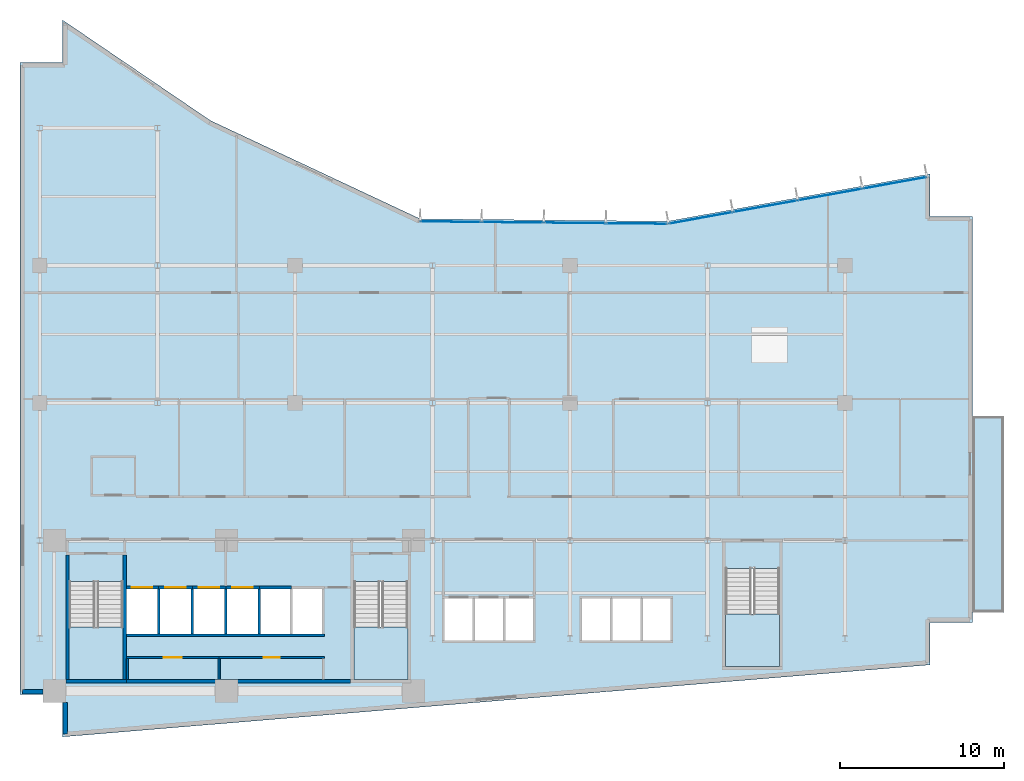
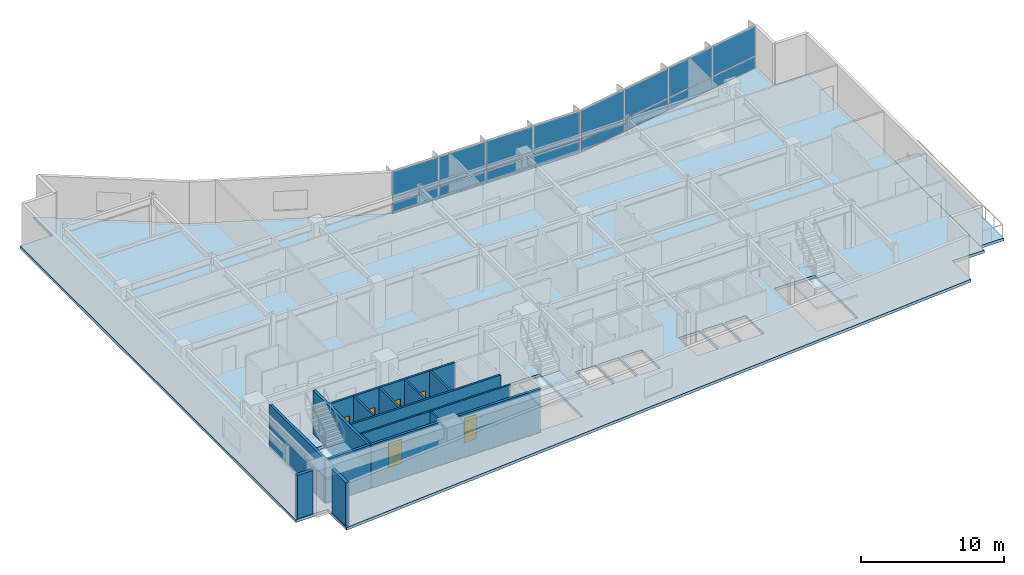
# One storey, part 9 of 18: 20 walls, 16 plates, 6 doors, 5 slabs, 6 openings, 5 elements without a shape of their own.
"""IFC4 building model written with IfcOpenShell, lengths in metres."""

import ifcopenshell
import ifcopenshell.guid

model = None  # the IFC model being written
_history = None  # IfcOwnerHistory: only IFC2X3 demands one
_inside = {}  # id of a spatial element -> (the spatial element, [elements in it])
_under = {}  # id of a project, library or spatial element -> (it, [spatial elements below it])
_declared = {}  # id of a project -> (the project, [libraries it declares])
_typed = {}  # id of a type object -> (the type object, [elements of that type])
_made_of = {}  # id of a material, layer set ... -> (it, [elements and type objects made of it])


def new_model(schema):
    """Start an empty IFC model of exactly this schema.

    Asked for "IFC4X3", IfcOpenShell would pick the latest addendum, in which some entities
    have other attributes; the version numbers below select the first issue.
    IFC2X3 requires an IfcOwnerHistory on every rooted entity: one is made here for all.
    """
    global model, _history
    if schema == "IFC4X3":
        model = ifcopenshell.file(schema_version=(4, 3, 0, 0))
    else:
        model = ifcopenshell.file(schema=schema)
    _inside.clear()
    _under.clear()
    _declared.clear()
    _typed.clear()
    _made_of.clear()
    _history = None
    if model.schema == "IFC2X3":
        org = make("IfcOrganization", Name="unknown")
        user = make(
            "IfcPersonAndOrganization",
            ThePerson=make("IfcPerson", FamilyName="unknown"),
            TheOrganization=org,
        )
        app = make(
            "IfcApplication",
            ApplicationDeveloper=org,
            Version="unknown",
            ApplicationFullName="unknown",
            ApplicationIdentifier="unknown",
        )
        _history = make(
            "IfcOwnerHistory",
            OwningUser=user,
            OwningApplication=app,
            ChangeAction="ADDED",
            CreationDate=0,
        )
    return model


def make(cls, **values):
    """One entity of the class cls with the attributes given. An attribute that is None is left unset."""
    return model.create_entity(
        cls, **{name: value for name, value in values.items() if value is not None}
    )


def rooted(cls, **values):
    """An entity with a GlobalId (a new one), such as an element, a storey or a relation."""
    return make(cls, GlobalId=ifcopenshell.guid.new(), OwnerHistory=_history, **values)


def si_unit(unit_type, name, prefix=None):
    """IfcSIUnit, for example si_unit("LENGTHUNIT", "METRE", prefix="MILLI")."""
    return make("IfcSIUnit", UnitType=unit_type, Prefix=prefix, Name=name)


def assignment(units):
    """IfcUnitAssignment: the units of a project."""
    return None if units is None else make("IfcUnitAssignment", Units=units)


def point(xyz):
    """IfcCartesianPoint."""
    return None if xyz is None else make("IfcCartesianPoint", Coordinates=xyz)


def direction(xyz):
    """IfcDirection."""
    return None if xyz is None else make("IfcDirection", DirectionRatios=xyz)


def frame(location, z_axis=None, x_axis=None):
    """IfcAxis2Placement3D, a coordinate frame: its origin and axes. An axis left out is left unset."""
    return make(
        "IfcAxis2Placement3D",
        Location=point(location),
        Axis=direction(z_axis),
        RefDirection=direction(x_axis),
    )


def frame_2d(location, x_axis=None):
    """IfcAxis2Placement2D, a coordinate frame in the plane: its origin and x axis."""
    return make(
        "IfcAxis2Placement2D", Location=point(location), RefDirection=direction(x_axis)
    )


def origin():
    """The frame at (0, 0, 0) with its axes left unset."""
    return frame((0.0, 0.0, 0.0))


def origin_2d():
    """The frame at (0, 0) in the plane with its x axis left unset."""
    return frame_2d((0.0, 0.0))


def place(relative_to, where):
    """IfcLocalPlacement: puts the frame where relative to a parent placement (None: the world)."""
    return make(
        "IfcLocalPlacement", PlacementRelTo=relative_to, RelativePlacement=where
    )


def context(
    kind, dimensions, precision=None, world=None, true_north=None, identifier=None
):
    """IfcGeometricRepresentationContext, for example the 3D "Model" context."""
    return make(
        "IfcGeometricRepresentationContext",
        ContextIdentifier=identifier,
        ContextType=kind,
        CoordinateSpaceDimension=dimensions,
        Precision=precision,
        WorldCoordinateSystem=world,
        TrueNorth=true_north,
    )


def subcontext(parent, identifier, kind, view, scale=None):
    """IfcGeometricRepresentationSubContext, for example "Body" below "Model"."""
    return make(
        "IfcGeometricRepresentationSubContext",
        ContextIdentifier=identifier,
        ContextType=kind,
        ParentContext=parent,
        TargetScale=scale,
        TargetView=view,
    )


def project(units=None, contexts=None):
    """IfcProject with its units and contexts."""
    return rooted(
        "IfcProject",
        Name="project",
        RepresentationContexts=contexts,
        UnitsInContext=assignment(units),
    )


def spatial(cls, under=None, at=None, **own):
    """A site, building, storey or space (cls), placed at a placement, below another one or the project."""
    s = rooted(cls, ObjectPlacement=at, **own)
    if under is not None:
        _under.setdefault(under.id(), (under, []))[1].append(s)
    return s


def polyline(points):
    """IfcPolyline through the points."""
    return make("IfcPolyline", Points=[point(p) for p in points])


def profile(cls, at=None, kind="AREA", **sizes):
    """A parametric profile (cls). Its sizes go by their IFC names, for example OverallWidth=200.0."""
    return make(cls, ProfileType=kind, Position=at, **sizes)


def rectangle(**sizes):
    """IfcRectangleProfileDef."""
    return profile("IfcRectangleProfileDef", **sizes)


def outline(outer, holes=None, kind="AREA"):
    """IfcArbitraryClosedProfileDef: a profile drawn as a closed curve; with holes, ...WithVoids."""
    if holes is None:
        return make("IfcArbitraryClosedProfileDef", ProfileType=kind, OuterCurve=outer)
    return make(
        "IfcArbitraryProfileDefWithVoids",
        ProfileType=kind,
        OuterCurve=outer,
        InnerCurves=holes,
    )


def extrude(swept, where, along, depth):
    """IfcExtrudedAreaSolid: the profile swept, set in the frame where, extruded along a direction by depth."""
    return make(
        "IfcExtrudedAreaSolid",
        SweptArea=swept,
        Position=where,
        ExtrudedDirection=direction(along),
        Depth=depth,
    )


def shape(context_of_items, identifier, shape_type, items):
    """IfcShapeRepresentation: the items that make up one representation, for example the "Body"."""
    return make(
        "IfcShapeRepresentation",
        ContextOfItems=context_of_items,
        RepresentationIdentifier=identifier,
        RepresentationType=shape_type,
        Items=items,
    )


def material(Name=None, Category=None):
    """IfcMaterial."""
    return make("IfcMaterial", Name=Name, Category=Category)


def layer(
    of_material, thickness, ventilated=None, Name=None, Category=None, Priority=None
):
    """IfcMaterialLayer: one layer of a wall or slab, of a material (None: an air gap)."""
    return make(
        "IfcMaterialLayer",
        Material=of_material,
        LayerThickness=thickness,
        IsVentilated=ventilated,
        Name=Name,
        Category=Category,
        Priority=Priority,
    )


def layer_set(layers, Name=None):
    """IfcMaterialLayerSet."""
    return make("IfcMaterialLayerSet", MaterialLayers=layers, LayerSetName=Name)


def made_of(thing, what):
    """Note that an element or type object is made of a material, layer set ...; save() writes the relation."""
    if what is not None:
        _made_of.setdefault(what.id(), (what, []))[1].append(thing)
    return thing


def type_object(cls, material=None, **own):
    """A type object (cls), such as IfcWallType, which elements share."""
    return made_of(rooted(cls, **own), material)


def element(
    cls,
    number,
    at=None,
    inside=None,
    cuts=None,
    type_object=None,
    material=None,
    context=None,
    identifier="Body",
    shape_type=None,
    held_by="IfcProductDefinitionShape",
    body=None,
    shapes=None,
    **own,
):
    """One element of the class cls, such as IfcWall. Its Tag is "e" and its number.

    at: its placement. inside: the storey or other place that contains it. cuts: it is an
    opening in that element (IfcRelVoidsElement). A single representation is given by context,
    identifier, shape_type and body (its items); several are given by shapes. held_by: the class
    of the entity that holds the representations. save() writes the other relations.
    """
    e = rooted(cls, Tag="e%d" % number, ObjectPlacement=at, **own)
    if body is not None:
        shapes = [shape(context, identifier, shape_type, body)]
    if shapes is not None:
        e.Representation = make(held_by, Representations=shapes)
    if inside is not None:
        _inside.setdefault(inside.id(), (inside, []))[1].append(e)
    if cuts is not None:
        rooted(
            "IfcRelVoidsElement", RelatingBuildingElement=cuts, RelatedOpeningElement=e
        )
    if type_object is not None:
        _typed.setdefault(type_object.id(), (type_object, []))[1].append(e)
    return made_of(e, material)


def fill(opening, filler):
    """IfcRelFillsElement: the door or window that sits in an opening."""
    return rooted(
        "IfcRelFillsElement",
        RelatingOpeningElement=opening,
        RelatedBuildingElement=filler,
    )


def aggregate(whole, parts):
    """IfcRelAggregates: a whole, such as a stair, and the parts it consists of."""
    return rooted("IfcRelAggregates", RelatingObject=whole, RelatedObjects=parts)


def save(model, path):
    """Write the relations noted so far, then the file.

    IfcRelAggregates (storeys below a building ...), IfcRelContainedInSpatialStructure (elements
    in a storey), IfcRelDefinesByType, IfcRelAssociatesMaterial and IfcRelDeclares: one each for
    every whole, place, type object, material and project.
    """
    for whole, parts in _under.values():
        aggregate(whole, parts)
    for where, things in _inside.values():
        rooted(
            "IfcRelContainedInSpatialStructure",
            RelatedElements=things,
            RelatingStructure=where,
        )
    for kind, things in _typed.values():
        rooted("IfcRelDefinesByType", RelatedObjects=things, RelatingType=kind)
    for what, things in _made_of.values():
        rooted("IfcRelAssociatesMaterial", RelatedObjects=things, RelatingMaterial=what)
    for by, libraries in _declared.values():
        rooted("IfcRelDeclares", RelatingContext=by, RelatedDefinitions=libraries)
    model.write(path)


model = new_model("IFC4")

# Units and contexts
model_context = context("Model", 3, precision=1e-05, world=origin(), true_north=direction((0.0, 1.0)))
body_context = subcontext(model_context, "Body", "Model", "MODEL_VIEW")
ifc_project = project(units=[si_unit("LENGTHUNIT", "METRE"), si_unit("AREAUNIT", "SQUARE_METRE"), si_unit("VOLUMEUNIT", "CUBIC_METRE"), si_unit("PLANEANGLEUNIT", "RADIAN"), si_unit("MASSUNIT", "GRAM", prefix="KILO")], contexts=[model_context])

# Site, building, storey
site_placement = place(None, origin())
site = spatial("IfcSite", under=ifc_project, at=site_placement, CompositionType="ELEMENT")
building_placement = place(site_placement, origin())
building = spatial("IfcBuilding", under=site, at=building_placement, Name="Varnakote Quay Hospital", CompositionType="ELEMENT")
storey_placement = place(building_placement, frame((0.0, 0.0, 30.39990234375)))
storey = spatial("IfcBuildingStorey", under=building, at=storey_placement, Name="L07", CompositionType="ELEMENT", Elevation=30.39990234375)

# Curtain wall, plates
ifc_material_1 = material(Name="Anodised aluminium 6063-T6 Bronze", Category="aluminium")
ifc_layer_1 = layer(ifc_material_1, 0.18994140625)
ifc_layer_set_1 = layer_set([ifc_layer_1], Name="Anodised aluminium 6063-T6 Bronze")
curtain_wall_type = type_object("IfcCurtainWallType", Name="CW-SYS-2", PredefinedType="NOTDEFINED", material=ifc_layer_set_1)
curtain_wall_1_placement = place(storey_placement, origin())
curtain_wall_1 = element("IfcCurtainWall", 1, at=curtain_wall_1_placement, inside=storey, type_object=curtain_wall_type, Name="L07 Unitised Bronze Curtain Wall 1", PredefinedType="NOTDEFINED")
ifc_material_2 = material(Name="Double-glazed acoustic laminated glass", Category="glass")
ifc_layer_2 = layer(ifc_material_2, 0.031982421875)
ifc_layer_set_2 = layer_set([ifc_layer_2], Name="Double-glazed acoustic laminated glass")
plate_type = type_object("IfcPlateType", Name="CW-PNL-GLZ-32", PredefinedType="CURTAIN_PANEL", material=ifc_layer_set_2)
plate_1_placement = place(storey_placement, frame((53.440185546875, 33.84716796875, 0.0751953125), z_axis=(0.0, 0.0, 1.0), x_axis=(-0.984058295766, -0.177846199098, 0.0)))
plate_1 = element("IfcPlate", 2, at=plate_1_placement, type_object=plate_type, Name="-2-L07-1 panel 1.1", PredefinedType="CURTAIN_PANEL", context=body_context, shape_type="SweptSolid", body=[
    extrude(rectangle(XDim=3.914306640625, YDim=0.031982421875, at=origin_2d()), origin(), (0.0, 0.0, 1.0), 0.987548828125),
])
plate_2_placement = place(storey_placement, frame((53.440185546875, 33.84716796875, 1.137451171875), z_axis=(0.0, 0.0, 1.0), x_axis=(-0.984058295766, -0.177846199098, 0.0)))
plate_2 = element("IfcPlate", 3, at=plate_2_placement, type_object=plate_type, Name="-2-L07-1 panel 1.2", PredefinedType="CURTAIN_PANEL", context=body_context, shape_type="SweptSolid", body=[
    extrude(rectangle(XDim=3.914306640625, YDim=0.031982421875, at=origin_2d()), origin(), (0.0, 0.0, 1.0), 2.49755859375),
])
plate_3_placement = place(storey_placement, frame((49.49609375, 33.13427734375, 0.0751953125), z_axis=(0.0, 0.0, 1.0), x_axis=(-0.984058295766, -0.177846199098, 0.0)))
plate_3 = element("IfcPlate", 4, at=plate_3_placement, type_object=plate_type, Name="-2-L07-1 panel 2.1", PredefinedType="CURTAIN_PANEL", context=body_context, shape_type="SweptSolid", body=[
    extrude(rectangle(XDim=3.951904296875, YDim=0.031982421875, at=origin_2d()), origin(), (0.0, 0.0, 1.0), 0.987548828125),
])
plate_4_placement = place(storey_placement, frame((49.49609375, 33.13427734375, 1.137451171875), z_axis=(0.0, 0.0, 1.0), x_axis=(-0.984058295766, -0.177846199098, 0.0)))
plate_4 = element("IfcPlate", 5, at=plate_4_placement, type_object=plate_type, Name="-2-L07-1 panel 2.2", PredefinedType="CURTAIN_PANEL", context=body_context, shape_type="SweptSolid", body=[
    extrude(rectangle(XDim=3.951904296875, YDim=0.031982421875, at=origin_2d()), origin(), (0.0, 0.0, 1.0), 2.49755859375),
])
plate_5_placement = place(storey_placement, frame((45.533447265625, 32.418212890625, 0.0751953125), z_axis=(0.0, 0.0, 1.0), x_axis=(-0.984058295766, -0.177846199098, 0.0)))
plate_5 = element("IfcPlate", 6, at=plate_5_placement, type_object=plate_type, Name="-2-L07-1 panel 3.1", PredefinedType="CURTAIN_PANEL", context=body_context, shape_type="SweptSolid", body=[
    extrude(rectangle(XDim=3.951904296875, YDim=0.031982421875, at=origin_2d()), origin(), (0.0, 0.0, 1.0), 0.987548828125),
])
plate_6_placement = place(storey_placement, frame((45.533447265625, 32.418212890625, 1.137451171875), z_axis=(0.0, 0.0, 1.0), x_axis=(-0.984058295766, -0.177846199098, 0.0)))
plate_6 = element("IfcPlate", 7, at=plate_6_placement, type_object=plate_type, Name="-2-L07-1 panel 3.2", PredefinedType="CURTAIN_PANEL", context=body_context, shape_type="SweptSolid", body=[
    extrude(rectangle(XDim=3.951904296875, YDim=0.031982421875, at=origin_2d()), origin(), (0.0, 0.0, 1.0), 2.49755859375),
])
plate_7_placement = place(storey_placement, frame((41.58935546875, 31.705322265625, 0.0751953125), z_axis=(0.0, 0.0, 1.0), x_axis=(-0.984058295766, -0.177846199098, 0.0)))
plate_7 = element("IfcPlate", 8, at=plate_7_placement, type_object=plate_type, Name="-2-L07-1 panel 4.1", PredefinedType="CURTAIN_PANEL", context=body_context, shape_type="SweptSolid", body=[
    extrude(rectangle(XDim=3.914306640625, YDim=0.031982421875, at=origin_2d()), origin(), (0.0, 0.0, 1.0), 0.987548828125),
])
plate_8_placement = place(storey_placement, frame((41.58935546875, 31.705322265625, 1.137451171875), z_axis=(0.0, 0.0, 1.0), x_axis=(-0.984058295766, -0.177846199098, 0.0)))
plate_8 = element("IfcPlate", 9, at=plate_8_placement, type_object=plate_type, Name="-2-L07-1 panel 4.2", PredefinedType="CURTAIN_PANEL", context=body_context, shape_type="SweptSolid", body=[
    extrude(rectangle(XDim=3.914306640625, YDim=0.031982421875, at=origin_2d()), origin(), (0.0, 0.0, 1.0), 2.49755859375),
])
aggregate(curtain_wall_1, [plate_1, plate_2, plate_3, plate_4, plate_5, plate_6, plate_7, plate_8])

curtain_wall_2_placement = place(storey_placement, origin())
curtain_wall_2 = element("IfcCurtainWall", 10, at=curtain_wall_2_placement, inside=storey, type_object=curtain_wall_type, Name="L07 Unitised Bronze Curtain Wall 2", PredefinedType="NOTDEFINED")
plate_9_placement = place(storey_placement, frame((37.673095703125, 31.362548828125, 0.0751953125), z_axis=(0.0, 0.0, 1.0), x_axis=(-0.999952230718, 0.009774266312, 0.0)))
plate_9 = element("IfcPlate", 11, at=plate_9_placement, type_object=plate_type, Name="-2-L07-2 panel 1.1", PredefinedType="CURTAIN_PANEL", context=body_context, shape_type="SweptSolid", body=[
    extrude(rectangle(XDim=3.68310546875, YDim=0.031982421875, at=origin_2d()), origin(), (0.0, 0.0, 1.0), 0.987548828125),
])
plate_10_placement = place(storey_placement, frame((37.673095703125, 31.362548828125, 1.137451171875), z_axis=(0.0, 0.0, 1.0), x_axis=(-0.999952230718, 0.009774266312, 0.0)))
plate_10 = element("IfcPlate", 12, at=plate_10_placement, type_object=plate_type, Name="-2-L07-2 panel 1.2", PredefinedType="CURTAIN_PANEL", context=body_context, shape_type="SweptSolid", body=[
    extrude(rectangle(XDim=3.68310546875, YDim=0.031982421875, at=origin_2d()), origin(), (0.0, 0.0, 1.0), 2.49755859375),
])
plate_11_placement = place(storey_placement, frame((33.896240234375, 31.399658203125, 0.0751953125), z_axis=(0.0, 0.0, 1.0), x_axis=(-0.999952230718, 0.009774266312, 0.0)))
plate_11 = element("IfcPlate", 13, at=plate_11_placement, type_object=plate_type, Name="-2-L07-2 panel 2.1", PredefinedType="CURTAIN_PANEL", context=body_context, shape_type="SweptSolid", body=[
    extrude(rectangle(XDim=3.720703125, YDim=0.031982421875, at=origin_2d()), origin(), (0.0, 0.0, 1.0), 0.987548828125),
])
plate_12_placement = place(storey_placement, frame((33.896240234375, 31.399658203125, 1.137451171875), z_axis=(0.0, 0.0, 1.0), x_axis=(-0.999952230718, 0.009774266312, 0.0)))
plate_12 = element("IfcPlate", 14, at=plate_12_placement, type_object=plate_type, Name="-2-L07-2 panel 2.2", PredefinedType="CURTAIN_PANEL", context=body_context, shape_type="SweptSolid", body=[
    extrude(rectangle(XDim=3.720703125, YDim=0.031982421875, at=origin_2d()), origin(), (0.0, 0.0, 1.0), 2.49755859375),
])
plate_13_placement = place(storey_placement, frame((30.100830078125, 31.436767578125, 0.0751953125), z_axis=(0.0, 0.0, 1.0), x_axis=(-0.999952230718, 0.009774266312, 0.0)))
plate_13 = element("IfcPlate", 15, at=plate_13_placement, type_object=plate_type, Name="-2-L07-2 panel 3.1", PredefinedType="CURTAIN_PANEL", context=body_context, shape_type="SweptSolid", body=[
    extrude(rectangle(XDim=3.720703125, YDim=0.031982421875, at=origin_2d()), origin(), (0.0, 0.0, 1.0), 0.987548828125),
])
plate_14_placement = place(storey_placement, frame((30.100830078125, 31.436767578125, 1.137451171875), z_axis=(0.0, 0.0, 1.0), x_axis=(-0.999952230718, 0.009774266312, 0.0)))
plate_14 = element("IfcPlate", 16, at=plate_14_placement, type_object=plate_type, Name="-2-L07-2 panel 3.2", PredefinedType="CURTAIN_PANEL", context=body_context, shape_type="SweptSolid", body=[
    extrude(rectangle(XDim=3.720703125, YDim=0.031982421875, at=origin_2d()), origin(), (0.0, 0.0, 1.0), 2.49755859375),
])
plate_15_placement = place(storey_placement, frame((26.32421875, 31.4736328125, 0.0751953125), z_axis=(0.0, 0.0, 1.0), x_axis=(-0.999952230718, 0.009774266312, 0.0)))
plate_15 = element("IfcPlate", 17, at=plate_15_placement, type_object=plate_type, Name="-2-L07-2 panel 4.1", PredefinedType="CURTAIN_PANEL", context=body_context, shape_type="SweptSolid", body=[
    extrude(rectangle(XDim=3.68310546875, YDim=0.031982421875, at=origin_2d()), origin(), (0.0, 0.0, 1.0), 0.987548828125),
])
plate_16_placement = place(storey_placement, frame((26.32421875, 31.4736328125, 1.137451171875), z_axis=(0.0, 0.0, 1.0), x_axis=(-0.999952230718, 0.009774266312, 0.0)))
plate_16 = element("IfcPlate", 18, at=plate_16_placement, type_object=plate_type, Name="-2-L07-2 panel 4.2", PredefinedType="CURTAIN_PANEL", context=body_context, shape_type="SweptSolid", body=[
    extrude(rectangle(XDim=3.68310546875, YDim=0.031982421875, at=origin_2d()), origin(), (0.0, 0.0, 1.0), 2.49755859375),
])
aggregate(curtain_wall_2, [plate_9, plate_10, plate_11, plate_12, plate_13, plate_14, plate_15, plate_16])

# Stair, slab
ifc_material_3 = material(Name="Concrete N40 (f'c 40 MPa)", Category="concrete")
stair_type = type_object("IfcStairType", Name="STR-CORE-1580", PredefinedType="HALF_TURN_STAIR", material=ifc_material_3)
stair_1_placement = place(storey_placement, origin())
stair_1 = element("IfcStair", 19, at=stair_1_placement, inside=storey, type_object=stair_type, Name="L07 Fire-Isolated Exit Stair ST-01", PredefinedType="HALF_TURN_STAIR")
ifc_material_4 = material(Name="Concrete N40 (f'c 40 MPa)", Category="concrete")
ifc_layer_3 = layer(ifc_material_4, 0.199951171875)
ifc_layer_set_3 = layer_set([ifc_layer_3], Name="Concrete N40 (f'c 40 MPa)")
slab_type_1 = type_object("IfcSlabType", Name="SLB-STAIR-LND-200", PredefinedType="LANDING", material=ifc_layer_set_3)
slab_1_placement = place(storey_placement, frame((0.0, 0.0, 1.775146484375)))
slab_1 = element("IfcSlab", 20, at=slab_1_placement, type_object=slab_type_1, Name="ST-01 landing 1", PredefinedType="LANDING", context=body_context, shape_type="SweptSolid", body=[
    extrude(outline(polyline([(3.0, 6.699951171875), (3.0, 3.5), (6.300048828125, 3.5), (6.300048828125, 6.699951171875), (3.0, 6.699951171875)])), origin(), (0.0, 0.0, 1.0), 0.199951171875),
])
aggregate(stair_1, [slab_1])

stair_2_placement = place(storey_placement, origin())
stair_2 = element("IfcStair", 21, at=stair_2_placement, inside=storey, type_object=stair_type, Name="L07 Fire-Isolated Exit Stair ST-02", PredefinedType="HALF_TURN_STAIR")
slab_2_placement = place(storey_placement, frame((0.0, 0.0, 1.775146484375)))
slab_2 = element("IfcSlab", 22, at=slab_2_placement, type_object=slab_type_1, Name="ST-02 landing 1", PredefinedType="LANDING", context=body_context, shape_type="SweptSolid", body=[
    extrude(outline(polyline([(20.39990234375, 6.699951171875), (20.39990234375, 3.5), (23.699951171875, 3.5), (23.699951171875, 6.699951171875), (20.39990234375, 6.699951171875)])), origin(), (0.0, 0.0, 1.0), 0.199951171875),
])
aggregate(stair_2, [slab_2])

stair_3_placement = place(storey_placement, origin())
stair_3 = element("IfcStair", 23, at=stair_3_placement, inside=storey, type_object=stair_type, Name="L07 Fire-Isolated Exit Stair ST-03", PredefinedType="HALF_TURN_STAIR")
slab_3_placement = place(storey_placement, frame((0.0, 0.0, 1.775146484375)))
slab_3 = element("IfcSlab", 24, at=slab_3_placement, type_object=slab_type_1, Name="ST-03 landing 1", PredefinedType="LANDING", context=body_context, shape_type="SweptSolid", body=[
    extrude(outline(polyline([(43.10009765625, 7.5), (43.10009765625, 4.300048828125), (46.39990234375, 4.300048828125), (46.39990234375, 7.5), (43.10009765625, 7.5)])), origin(), (0.0, 0.0, 1.0), 0.199951171875),
])
aggregate(stair_3, [slab_3])

# Slabs
ifc_material_5 = material(Name="Concrete N50 (f'c 50 MPa)", Category="concrete")
ifc_layer_4 = layer(ifc_material_5, 0.239990234375)
ifc_layer_set_4 = layer_set([ifc_layer_4], Name="Concrete N50 (f'c 50 MPa)")
slab_type_2 = type_object("IfcSlabType", Name="SLB-TERR-200", PredefinedType="FLOOR", material=ifc_layer_set_4)
slab_4_placement = place(storey_placement, frame((0.0, 0.0, -0.239990234375)))
element("IfcSlab", 25, at=slab_4_placement, inside=storey, type_object=slab_type_2, Name="L07 Waterfront Healing Terrace Slab", PredefinedType="FLOOR", context=body_context, shape_type="SweptSolid", body=[
    extrude(outline(polyline([(58.196044921875, 19.60009765625), (58.196044921875, 7.60009765625), (60.1201171875, 7.60009765625), (60.1201171875, 19.60009765625), (58.196044921875, 19.60009765625)])), origin(), (0.0, 0.0, 1.0), 0.239990234375),
])
ifc_material_6 = material(Name="Concrete N50 (f'c 50 MPa)", Category="concrete")
ifc_layer_5 = layer(ifc_material_6, 0.239990234375)
ifc_layer_set_5 = layer_set([ifc_layer_5], Name="Concrete N50 (f'c 50 MPa)")
slab_type_3 = type_object("IfcSlabType", Name="SLB-WARD-200", PredefinedType="FLOOR", material=ifc_layer_set_5)
slab_5_placement = place(storey_placement, frame((0.0, 0.0, -0.239990234375)))
element("IfcSlab", 26, at=slab_5_placement, inside=storey, type_object=slab_type_3, Name="L07 Primary Floor Slab", PredefinedType="FLOOR", context=body_context, shape_type="SweptSolid", body=[
    extrude(outline(polyline([(0.0, 2.60009765625), (2.60009765625, 2.60009765625), (2.60009765625, 0.0), (55.60009765625, 4.39990234375), (55.60009765625, 7.0), (58.199951171875, 7.0), (58.199951171875, 31.800048828125), (55.60009765625, 31.800048828125), (55.60009765625, 34.39990234375), (39.575927734375, 31.50390625), (24.444091796875, 31.652099609375), (11.639892578125, 37.656005859375), (2.60009765625, 43.800048828125), (2.60009765625, 41.199951171875), (0.0, 41.199951171875), (0.0, 2.60009765625)]), holes=[polyline([(3.0, 3.5), (6.300048828125, 3.5), (6.300048828125, 9.49951171875), (3.0, 9.49951171875), (3.0, 3.5)]), polyline([(20.39990234375, 3.5), (23.699951171875, 3.5), (23.699951171875, 9.49951171875), (20.39990234375, 9.49951171875), (20.39990234375, 3.5)]), polyline([(43.10009765625, 4.300048828125), (46.39990234375, 4.300048828125), (46.39990234375, 10.29931640625), (43.10009765625, 10.29931640625), (43.10009765625, 4.300048828125)]), polyline([(6.5, 6.300048828125), (8.39990234375, 6.300048828125), (8.39990234375, 9.050048828125), (6.5, 9.050048828125), (6.5, 6.300048828125)]), polyline([(8.550048828125, 6.300048828125), (10.449951171875, 6.300048828125), (10.449951171875, 9.050048828125), (8.550048828125, 9.050048828125), (8.550048828125, 6.300048828125)]), polyline([(10.60009765625, 6.300048828125), (12.5, 6.300048828125), (12.5, 9.050048828125), (10.60009765625, 9.050048828125), (10.60009765625, 6.300048828125)]), polyline([(12.64990234375, 6.300048828125), (14.550048828125, 6.300048828125), (14.550048828125, 9.050048828125), (12.64990234375, 9.050048828125), (12.64990234375, 6.300048828125)]), polyline([(14.699951171875, 6.300048828125), (16.5, 6.300048828125), (16.5, 9.050048828125), (14.699951171875, 9.050048828125), (14.699951171875, 6.300048828125)]), polyline([(16.64990234375, 6.300048828125), (18.449951171875, 6.300048828125), (18.449951171875, 9.050048828125), (16.64990234375, 9.050048828125), (16.64990234375, 6.300048828125)]), polyline([(25.949951171875, 5.89990234375), (27.64990234375, 5.89990234375), (27.64990234375, 8.449951171875), (25.949951171875, 8.449951171875), (25.949951171875, 5.89990234375)]), polyline([(27.800048828125, 5.89990234375), (29.5, 5.89990234375), (29.5, 8.449951171875), (27.800048828125, 8.449951171875), (27.800048828125, 5.89990234375)]), polyline([(29.64990234375, 5.89990234375), (31.35009765625, 5.89990234375), (31.35009765625, 8.449951171875), (29.64990234375, 8.449951171875), (29.64990234375, 5.89990234375)]), polyline([(34.35009765625, 5.89990234375), (36.050048828125, 5.89990234375), (36.050048828125, 8.449951171875), (34.35009765625, 8.449951171875), (34.35009765625, 5.89990234375)]), polyline([(36.199951171875, 5.89990234375), (37.89990234375, 5.89990234375), (37.89990234375, 8.449951171875), (36.199951171875, 8.449951171875), (36.199951171875, 5.89990234375)]), polyline([(38.050048828125, 5.89990234375), (39.75, 5.89990234375), (39.75, 8.449951171875), (38.050048828125, 8.449951171875), (38.050048828125, 5.89990234375)])]), origin(), (0.0, 0.0, 1.0), 0.239990234375),
])

# Walls
ifc_material_7 = material(Name="Concrete N80 (f'c 80 MPa)", Category="concrete")
ifc_layer_6 = layer(ifc_material_7, 0.199951171875)
ifc_layer_set_6 = layer_set([ifc_layer_6], Name="Concrete N80 (f'c 80 MPa)")
wall_type_1 = type_object("IfcWallType", Name="WL-CORE-N80-200", PredefinedType="SHEAR", material=ifc_layer_set_6)
wall_1_placement = place(storey_placement, frame((6.5, 3.39990234375, 0.0), z_axis=(0.0, 0.0, 1.0), x_axis=(1.0, 0.0, 0.0)))
element("IfcWall", 27, at=wall_1_placement, inside=storey, type_object=wall_type_1, Name="L07 Rear Core South Shear Wall", PredefinedType="SHEAR", context=body_context, shape_type="SweptSolid", body=[
    extrude(rectangle(XDim=13.699951171875, YDim=0.199951171875, at=frame_2d((6.85009765625, 0.0))), origin(), (0.0, 0.0, 1.0), 3.710205078125),
])
ifc_material_8 = material(Name="Precast concrete N50 (f'c 50 MPa)", Category="concrete")
ifc_layer_7 = layer(ifc_material_8, 0.260009765625)
ifc_layer_set_7 = layer_set([ifc_layer_7], Name="Precast concrete N50 (f'c 50 MPa)")
wall_type_2 = type_object("IfcWallType", Name="WL-EXT-BRICK-260", PredefinedType="STANDARD", material=ifc_layer_set_7)
wall_2_placement = place(storey_placement, frame((2.760009765625, 2.114990234375, 0.0), z_axis=(0.0, 0.0, 1.0), x_axis=(0.0, -1.0, 0.0)))
element("IfcWall", 28, at=wall_2_placement, inside=storey, type_object=wall_type_2, Name="L07 Brick-Faced Precast Exterior Wall", PredefinedType="STANDARD", context=body_context, shape_type="SweptSolid", body=[
    extrude(rectangle(XDim=1.941162109375, YDim=0.260009765625, at=frame_2d((0.970703125, 0.0))), origin(), (0.0, 0.0, 1.0), 3.710205078125),
])
wall_3_placement = place(storey_placement, frame((0.159912109375, 2.760009765625, 0.0), z_axis=(0.0, 0.0, 1.0), x_axis=(1.0, 0.0, 0.0)))
element("IfcWall", 29, at=wall_3_placement, inside=storey, type_object=wall_type_2, Name="L07 Brick-Faced Precast Exterior Wall", PredefinedType="STANDARD", context=body_context, shape_type="SweptSolid", body=[
    extrude(rectangle(XDim=1.255126953125, YDim=0.260009765625, at=frame_2d((0.62744140625, 0.0))), origin(), (0.0, 0.0, 1.0), 3.710205078125),
])
ifc_material_9 = material(Name="Concrete N50 (f'c 50 MPa)", Category="concrete")
ifc_layer_8 = layer(ifc_material_9, 0.14990234375)
ifc_layer_set_8 = layer_set([ifc_layer_8], Name="Concrete N50 (f'c 50 MPa)")
wall_type_3 = type_object("IfcWallType", Name="WL-SHAFT-N50-150", PredefinedType="SHEAR", material=ifc_layer_set_8)
for number, where, z_axis, x_axis, name in (
    (30, (8.47509765625, 6.300048828125, 0.0), (0.0, 0.0, 1.0), (0.0, 1.0, 0.0), "L07 LF-FF1 Hoistway Divider Wall"),
    (31, (10.52490234375, 6.300048828125, 0.0), (0.0, 0.0, 1.0), (0.0, 1.0, 0.0), "L07 LF-FF2 Hoistway Divider Wall"),
    (32, (12.574951171875, 6.300048828125, 0.0), (0.0, 0.0, 1.0), (0.0, 1.0, 0.0), "L07 LF-SV1 Hoistway Divider Wall"),
    (33, (14.625, 6.300048828125, 0.0), (0.0, 0.0, 1.0), (0.0, 1.0, 0.0), "L07 LF-SV2 Hoistway Divider Wall"),
):
    element("IfcWall", number, at=place(storey_placement, frame(where, z_axis=z_axis, x_axis=x_axis)), inside=storey, type_object=wall_type_3, Name=name, PredefinedType="SHEAR", context=body_context, shape_type="SweptSolid", body=[
        extrude(rectangle(XDim=2.75, YDim=0.14990234375, at=frame_2d((1.375, 0.0))), origin(), (0.0, 0.0, 1.0), 3.710205078125),
    ])
ifc_material_10 = material(Name="Concrete N50 (f'c 50 MPa)", Category="concrete")
ifc_layer_9 = layer(ifc_material_10, 0.159912109375)
ifc_layer_set_9 = layer_set([ifc_layer_9], Name="Concrete N50 (f'c 50 MPa)")
wall_type_4 = type_object("IfcWallType", Name="WL-SHAFT-N50-160", PredefinedType="SHEAR", material=ifc_layer_set_9)
wall_4_placement = place(storey_placement, frame((6.5, 6.219970703125, 0.0), z_axis=(0.0, 0.0, 1.0), x_axis=(1.0, 0.0, 0.0)))
element("IfcWall", 34, at=wall_4_placement, inside=storey, type_object=wall_type_4, Name="L07 REAR Lift Bank Back Shear Wall", PredefinedType="SHEAR", context=body_context, shape_type="SweptSolid", body=[
    extrude(rectangle(XDim=12.110107421875, YDim=0.159912109375, at=frame_2d((6.05517578125, 0.0))), origin(), (0.0, 0.0, 1.0), 3.710205078125),
])

# Wall, opening, door
wall_5_placement = place(storey_placement, frame((6.5, 9.1298828125, 0.0), z_axis=(0.0, 0.0, 1.0), x_axis=(1.0, 0.0, 0.0)))
wall_5 = element("IfcWall", 35, at=wall_5_placement, inside=storey, type_object=wall_type_4, Name="L07 LF-FF1 Hoistway Front Wall", PredefinedType="SHEAR", context=body_context, shape_type="SweptSolid", body=[
    extrude(rectangle(XDim=1.97509765625, YDim=0.159912109375, at=frame_2d((0.987548828125, 0.0))), origin(), (0.0, 0.0, 1.0), 3.710205078125),
])
opening_1_placement = place(wall_5_placement, frame((0.324951171875, 0.0, 0.0)))
opening_1 = element("IfcOpeningElement", 36, at=opening_1_placement, cuts=wall_5, Name="Opening LD-FF1-L07", PredefinedType="OPENING", context=body_context, shape_type="SweptSolid", body=[
    extrude(rectangle(XDim=1.25, YDim=2.14990234375, at=frame_2d((0.625, 1.074951171875))), frame((0.0, 0.08984375, 0.0), z_axis=(0.0, -1.0, 0.0), x_axis=(1.0, 0.0, 0.0)), (0.0, 0.0, 1.0), 0.179931640625),
])
ifc_material_11 = material(Name="Stainless steel lift landing sliding door", Category="steel")
door_type_1 = type_object("IfcDoorType", Name="DR-LIFT-LD-1250x2150", OperationType="NOTDEFINED", PredefinedType="DOOR", material=ifc_material_11)
door_1_placement = place(opening_1_placement, origin())
door_1 = element("IfcDoor", 37, at=door_1_placement, inside=storey, type_object=door_type_1, Name="L07 LF-FF1 Lift Landing Sliding Door", OperationType="SLIDING_TO_LEFT", OverallHeight=2.14990234375, OverallWidth=1.25, PredefinedType="DOOR", context=body_context, shape_type="SweptSolid", body=[
    extrude(rectangle(XDim=1.25, YDim=2.14990234375, at=frame_2d((0.625, 1.074951171875))), frame((0.0, 0.02490234375, 0.0), z_axis=(0.0, -1.0, 0.0), x_axis=(1.0, 0.0, 0.0)), (0.0, 0.0, 1.0), 0.050048828125),
])
fill(opening_1, door_1)

wall_6_placement = place(storey_placement, frame((8.47509765625, 9.1298828125, 0.0), z_axis=(0.0, 0.0, 1.0), x_axis=(1.0, 0.0, 0.0)))
wall_6 = element("IfcWall", 38, at=wall_6_placement, inside=storey, type_object=wall_type_4, Name="L07 LF-FF2 Hoistway Front Wall", PredefinedType="SHEAR", context=body_context, shape_type="SweptSolid", body=[
    extrude(rectangle(XDim=2.0498046875, YDim=0.159912109375, at=frame_2d((1.02490234375, 0.0))), origin(), (0.0, 0.0, 1.0), 3.710205078125),
])
opening_2_placement = place(wall_6_placement, frame((0.39990234375, 0.0, 0.0)))
opening_2 = element("IfcOpeningElement", 39, at=opening_2_placement, cuts=wall_6, Name="Opening LD-FF2-L07", PredefinedType="OPENING", context=body_context, shape_type="SweptSolid", body=[
    extrude(rectangle(XDim=1.25, YDim=2.14990234375, at=frame_2d((0.625, 1.074951171875))), frame((0.0, 0.08984375, 0.0), z_axis=(0.0, -1.0, 0.0), x_axis=(1.0, 0.0, 0.0)), (0.0, 0.0, 1.0), 0.179931640625),
])
door_2_placement = place(opening_2_placement, origin())
door_2 = element("IfcDoor", 40, at=door_2_placement, inside=storey, type_object=door_type_1, Name="L07 LF-FF2 Lift Landing Sliding Door", OperationType="SLIDING_TO_LEFT", OverallHeight=2.14990234375, OverallWidth=1.25, PredefinedType="DOOR", context=body_context, shape_type="SweptSolid", body=[
    extrude(rectangle(XDim=1.25, YDim=2.14990234375, at=frame_2d((0.625, 1.074951171875))), frame((0.0, 0.02490234375, 0.0), z_axis=(0.0, -1.0, 0.0), x_axis=(1.0, 0.0, 0.0)), (0.0, 0.0, 1.0), 0.050048828125),
])
fill(opening_2, door_2)

wall_7_placement = place(storey_placement, frame((10.52490234375, 9.1298828125, 0.0), z_axis=(0.0, 0.0, 1.0), x_axis=(1.0, 0.0, 0.0)))
wall_7 = element("IfcWall", 41, at=wall_7_placement, inside=storey, type_object=wall_type_4, Name="L07 LF-SV1 Hoistway Front Wall", PredefinedType="SHEAR", context=body_context, shape_type="SweptSolid", body=[
    extrude(rectangle(XDim=2.050048828125, YDim=0.159912109375, at=frame_2d((1.02490234375, 0.0))), origin(), (0.0, 0.0, 1.0), 3.710205078125),
])
opening_3_placement = place(wall_7_placement, frame((0.39990234375, 0.0, 0.0)))
opening_3 = element("IfcOpeningElement", 42, at=opening_3_placement, cuts=wall_7, Name="Opening LD-SV1-L07", PredefinedType="OPENING", context=body_context, shape_type="SweptSolid", body=[
    extrude(rectangle(XDim=1.25, YDim=2.14990234375, at=frame_2d((0.625, 1.074951171875))), frame((0.0, 0.08984375, 0.0), z_axis=(0.0, -1.0, 0.0), x_axis=(1.0, 0.0, 0.0)), (0.0, 0.0, 1.0), 0.179931640625),
])
door_3_placement = place(opening_3_placement, origin())
door_3 = element("IfcDoor", 43, at=door_3_placement, inside=storey, type_object=door_type_1, Name="L07 LF-SV1 Lift Landing Sliding Door", OperationType="SLIDING_TO_LEFT", OverallHeight=2.14990234375, OverallWidth=1.25, PredefinedType="DOOR", context=body_context, shape_type="SweptSolid", body=[
    extrude(rectangle(XDim=1.25, YDim=2.14990234375, at=frame_2d((0.625, 1.074951171875))), frame((0.0, 0.02490234375, 0.0), z_axis=(0.0, -1.0, 0.0), x_axis=(1.0, 0.0, 0.0)), (0.0, 0.0, 1.0), 0.050048828125),
])
fill(opening_3, door_3)

wall_8_placement = place(storey_placement, frame((12.574951171875, 9.1298828125, 0.0), z_axis=(0.0, 0.0, 1.0), x_axis=(1.0, 0.0, 0.0)))
wall_8 = element("IfcWall", 44, at=wall_8_placement, inside=storey, type_object=wall_type_4, Name="L07 LF-SV2 Hoistway Front Wall", PredefinedType="SHEAR", context=body_context, shape_type="SweptSolid", body=[
    extrude(rectangle(XDim=2.050048828125, YDim=0.159912109375, at=frame_2d((1.02490234375, 0.0))), origin(), (0.0, 0.0, 1.0), 3.710205078125),
])
opening_4_placement = place(wall_8_placement, frame((0.39990234375, 0.0, 0.0)))
opening_4 = element("IfcOpeningElement", 45, at=opening_4_placement, cuts=wall_8, Name="Opening LD-SV2-L07", PredefinedType="OPENING", context=body_context, shape_type="SweptSolid", body=[
    extrude(rectangle(XDim=1.25, YDim=2.14990234375, at=frame_2d((0.625, 1.074951171875))), frame((0.0, 0.08984375, 0.0), z_axis=(0.0, -1.0, 0.0), x_axis=(1.0, 0.0, 0.0)), (0.0, 0.0, 1.0), 0.179931640625),
])
door_4_placement = place(opening_4_placement, origin())
door_4 = element("IfcDoor", 46, at=door_4_placement, inside=storey, type_object=door_type_1, Name="L07 LF-SV2 Lift Landing Sliding Door", OperationType="SLIDING_TO_LEFT", OverallHeight=2.14990234375, OverallWidth=1.25, PredefinedType="DOOR", context=body_context, shape_type="SweptSolid", body=[
    extrude(rectangle(XDim=1.25, YDim=2.14990234375, at=frame_2d((0.625, 1.074951171875))), frame((0.0, 0.02490234375, 0.0), z_axis=(0.0, -1.0, 0.0), x_axis=(1.0, 0.0, 0.0)), (0.0, 0.0, 1.0), 0.050048828125),
])
fill(opening_4, door_4)

# Walls
wall_9_placement = place(storey_placement, frame((14.625, 9.1298828125, 0.0), z_axis=(0.0, 0.0, 1.0), x_axis=(1.0, 0.0, 0.0)))
element("IfcWall", 47, at=wall_9_placement, inside=storey, type_object=wall_type_4, Name="L07 LF-PH1 Hoistway Front Wall", PredefinedType="SHEAR", context=body_context, shape_type="SweptSolid", body=[
    extrude(rectangle(XDim=1.949951171875, YDim=0.159912109375, at=frame_2d((0.97509765625, 0.0))), origin(), (0.0, 0.0, 1.0), 3.710205078125),
])
ifc_material_12 = material(Name="Concrete N50 (f'c 50 MPa)", Category="concrete")
ifc_layer_10 = layer(ifc_material_12, 0.199951171875)
ifc_layer_set_10 = layer_set([ifc_layer_10], Name="Concrete N50 (f'c 50 MPa)")
wall_type_5 = type_object("IfcWallType", Name="WL-SHAFT-N50-200", PredefinedType="SHEAR", material=ifc_layer_set_10)
wall_10_placement = place(storey_placement, frame((2.800048828125, 3.39990234375, 0.0), z_axis=(0.0, 0.0, 1.0), x_axis=(1.0, 0.0, 0.0)))
element("IfcWall", 48, at=wall_10_placement, inside=storey, type_object=wall_type_5, Name="L07 Stair ST1 South Shaft Wall", PredefinedType="SHEAR", context=body_context, shape_type="SweptSolid", body=[
    extrude(rectangle(XDim=3.699951171875, YDim=0.199951171875, at=frame_2d((1.85009765625, 0.0))), origin(), (0.0, 0.0, 1.0), 3.710205078125),
])
for number, where, z_axis, x_axis, name in (
    (49, (2.89990234375, 3.5, 0.0), (0.0, 0.0, 1.0), (0.0, 1.0, 0.0), "L07 Stair ST1 West Shaft Wall"),
    (50, (6.39990234375, 3.5, 0.0), (0.0, 0.0, 1.0), (0.0, 1.0, 0.0), "L07 Stair ST1 East Shaft Wall"),
):
    element("IfcWall", number, at=place(storey_placement, frame(where, z_axis=z_axis, x_axis=x_axis)), inside=storey, type_object=wall_type_5, Name=name, PredefinedType="SHEAR", context=body_context, shape_type="SweptSolid", body=[
        extrude(rectangle(XDim=7.60009765625, YDim=0.199951171875, at=frame_2d((3.800048828125, 0.0))), origin(), (0.0, 0.0, 1.0), 3.710205078125),
    ])
ifc_material_13 = material(Name="Smoke-proof clinical partition", Category="gypsum")
ifc_layer_11 = layer(ifc_material_13, 0.1201171875)
ifc_layer_set_11 = layer_set([ifc_layer_11], Name="Smoke-proof clinical partition")
wall_type_6 = type_object("IfcWallType", Name="WL-SMOKE-120", PredefinedType="PARTITIONING", material=ifc_layer_set_11)
for number, where, z_axis, x_axis, name in (
    (51, (6.56005859375, 3.52001953125, 0.0), (0.0, 0.0, 1.0), (0.0, 1.0, 0.0), "L07 Core South Service West Wall"),
    (52, (12.169921875, 3.52001953125, 0.0), (0.0, 0.0, 1.0), (0.0, 1.0, 0.0), "L07 Core South Service Divider"),
):
    element("IfcWall", number, at=place(storey_placement, frame(where, z_axis=z_axis, x_axis=x_axis)), inside=storey, type_object=wall_type_6, Name=name, PredefinedType="PARTITIONING", context=body_context, shape_type="SweptSolid", body=[
        extrude(rectangle(XDim=1.260009765625, YDim=0.1201171875, at=frame_2d((0.6298828125, 0.0))), origin(), (0.0, 0.0, 1.0), 3.710205078125),
    ])

# Wall, opening, door
ifc_material_14 = material(Name="Fire-rated clinical gypsum partition", Category="gypsum")
ifc_layer_12 = layer(ifc_material_14, 0.139892578125)
ifc_layer_set_12 = layer_set([ifc_layer_12], Name="Fire-rated clinical gypsum partition")
wall_type_7 = type_object("IfcWallType", Name="WL-WARD-140", PredefinedType="PARTITIONING", material=ifc_layer_set_12)
wall_11_placement = place(storey_placement, frame((6.5, 4.85009765625, 0.0), z_axis=(0.0, 0.0, 1.0), x_axis=(1.0, 0.0, 0.0)))
wall_11 = element("IfcWall", 53, at=wall_11_placement, inside=storey, type_object=wall_type_7, Name="L07 Core Clean Linen Store North Wall", PredefinedType="PARTITIONING", context=body_context, shape_type="SweptSolid", body=[
    extrude(rectangle(XDim=5.669921875, YDim=0.139892578125, at=frame_2d((2.8349609375, 0.0))), origin(), (0.0, 0.0, 1.0), 3.710205078125),
])
opening_5_placement = place(wall_11_placement, frame((2.284912109375, 0.0, 0.0)))
opening_5 = element("IfcOpeningElement", 54, at=opening_5_placement, cuts=wall_11, Name="Opening D-L07-CR01", PredefinedType="OPENING", context=body_context, shape_type="SweptSolid", body=[
    extrude(rectangle(XDim=1.10009765625, YDim=2.10009765625, at=frame_2d((0.550048828125, 1.050048828125))), frame((0.0, 0.079833984375, 0.0), z_axis=(0.0, -1.0, 0.0), x_axis=(1.0, 0.0, 0.0)), (0.0, 0.0, 1.0), 0.159912109375),
])
ifc_material_15 = material(Name="Acoustic timber clinical consult door", Category="wood")
door_type_2 = type_object("IfcDoorType", Name="DR-CLIN-FD30S-1100x2100", OperationType="NOTDEFINED", PredefinedType="DOOR", material=ifc_material_15)
door_5_placement = place(opening_5_placement, origin())
door_5 = element("IfcDoor", 55, at=door_5_placement, inside=storey, type_object=door_type_2, Name="L07 Core Clean Linen Store Door", OperationType="SINGLE_SWING_RIGHT", OverallHeight=2.10009765625, OverallWidth=1.10009765625, PredefinedType="DOOR", context=body_context, shape_type="SweptSolid", body=[
    extrude(rectangle(XDim=1.10009765625, YDim=2.10009765625, at=frame_2d((0.550048828125, 1.050048828125))), frame((0.0, 0.02490234375, 0.0), z_axis=(0.0, -1.0, 0.0), x_axis=(1.0, 0.0, 0.0)), (0.0, 0.0, 1.0), 0.050048828125),
])
fill(opening_5, door_5)

wall_12_placement = place(storey_placement, frame((12.169921875, 4.85009765625, 0.0), z_axis=(0.0, 0.0, 1.0), x_axis=(1.0, 0.0, 0.0)))
wall_12 = element("IfcWall", 56, at=wall_12_placement, inside=storey, type_object=wall_type_7, Name="L07 Core Staff Sanitary WC North Wall", PredefinedType="PARTITIONING", context=body_context, shape_type="SweptSolid", body=[
    extrude(rectangle(XDim=6.43017578125, YDim=0.139892578125, at=frame_2d((3.215087890625, 0.0))), origin(), (0.0, 0.0, 1.0), 3.710205078125),
])
opening_6_placement = place(wall_12_placement, frame((2.72509765625, 0.0, 0.0)))
opening_6 = element("IfcOpeningElement", 57, at=opening_6_placement, cuts=wall_12, Name="Opening D-L07-CR02", PredefinedType="OPENING", context=body_context, shape_type="SweptSolid", body=[
    extrude(rectangle(XDim=0.97998046875, YDim=2.10009765625, at=frame_2d((0.489990234375, 1.050048828125))), frame((0.0, 0.079833984375, 0.0), z_axis=(0.0, -1.0, 0.0), x_axis=(1.0, 0.0, 0.0)), (0.0, 0.0, 1.0), 0.159912109375),
])
ifc_material_16 = material(Name="Accessible sanitary compartment door")
door_type_3 = type_object("IfcDoorType", Name="DR-WC-980x2100", OperationType="NOTDEFINED", PredefinedType="DOOR", material=ifc_material_16)
door_6_placement = place(opening_6_placement, origin())
door_6 = element("IfcDoor", 58, at=door_6_placement, inside=storey, type_object=door_type_3, Name="L07 Core Staff Sanitary WC Door", OperationType="SINGLE_SWING_LEFT", OverallHeight=2.10009765625, OverallWidth=0.97998046875, PredefinedType="DOOR", context=body_context, shape_type="SweptSolid", body=[
    extrude(rectangle(XDim=0.97998046875, YDim=2.10009765625, at=frame_2d((0.489990234375, 1.050048828125))), frame((0.0, 0.02490234375, 0.0), z_axis=(0.0, -1.0, 0.0), x_axis=(1.0, 0.0, 0.0)), (0.0, 0.0, 1.0), 0.050048828125),
])
fill(opening_6, door_6)

save(model, "model.ifc")
